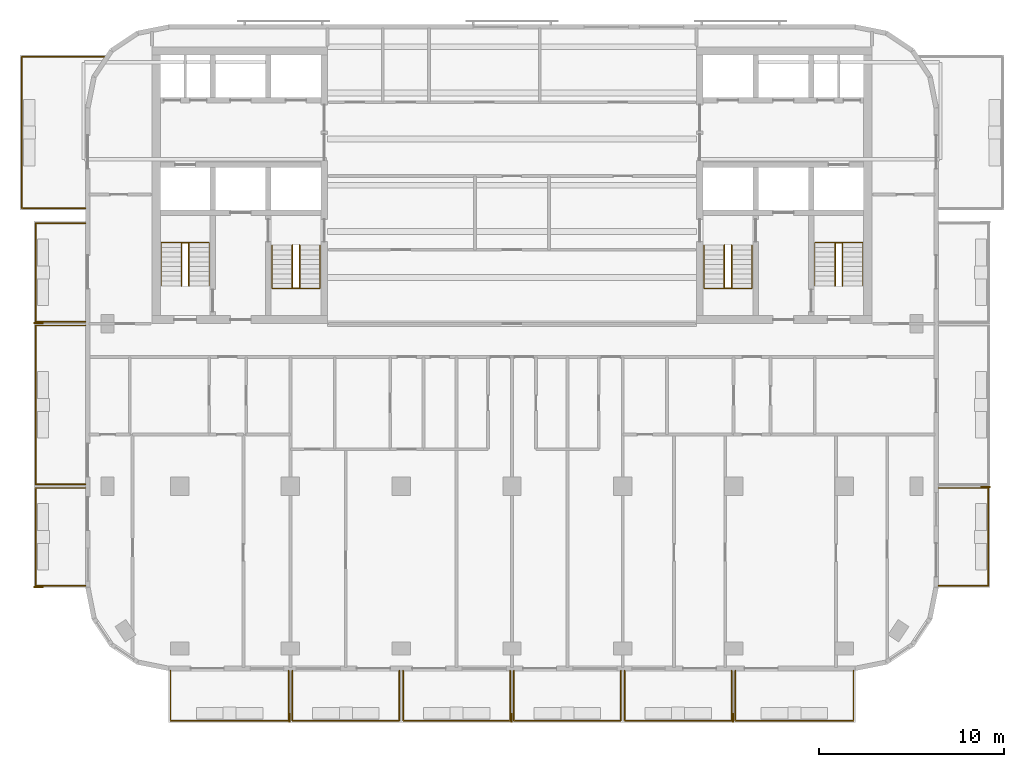
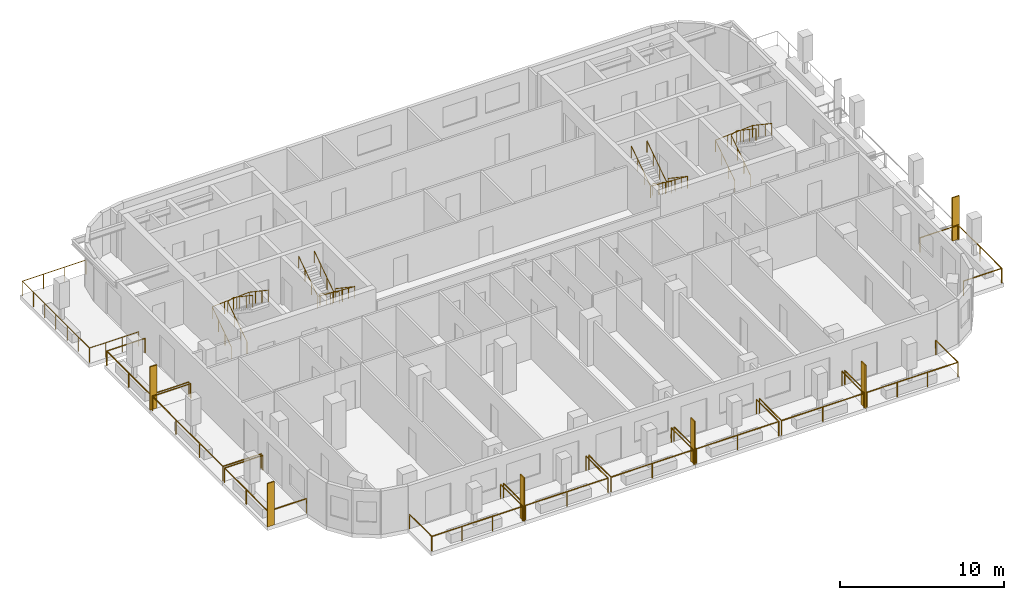
# One storey, part 9 of 11: 19 railings, 6 shading devices.
"""IFC4 building model written with IfcOpenShell, lengths in metres."""

from ifc_helpers import new_model, si_unit, direction, frame, origin, origin_2d, place, context, subcontext, project, spatial, rectangle, circle, extrude, material, layer, layer_set, type_object, element, save


model = new_model("IFC4")

# Units and contexts
model_context = context("Model", 3, precision=1e-05, world=origin(), true_north=direction((0.0, 1.0)))
body_context = subcontext(model_context, "Body", "Model", "MODEL_VIEW")
ifc_project = project(units=[si_unit("LENGTHUNIT", "METRE"), si_unit("AREAUNIT", "SQUARE_METRE"), si_unit("VOLUMEUNIT", "CUBIC_METRE"), si_unit("PLANEANGLEUNIT", "RADIAN"), si_unit("MASSUNIT", "GRAM", prefix="KILO")], contexts=[model_context])

# Site, building, storey
site_placement = place(None, origin())
site = spatial("IfcSite", under=ifc_project, at=site_placement, CompositionType="ELEMENT")
building_placement = place(site_placement, origin())
building = spatial("IfcBuilding", under=site, at=building_placement, Name="Torana Hotel and Residences", CompositionType="ELEMENT")
storey_placement = place(building_placement, frame((0.0, 0.0, 284.10009765625)))
storey = spatial("IfcBuildingStorey", under=building, at=storey_placement, Name="L75", CompositionType="ELEMENT", Elevation=284.10009765625)

# Shading devices
ifc_material_1 = material(Name="Black powder coated aluminium", Category="aluminium")
ifc_layer = layer(ifc_material_1, 0.080078125)
ifc_layer_set = layer_set([ifc_layer], Name="FN1 VERTICAL FIN 500x80")
shading_device_type = type_object("IfcShadingDeviceType", Name="FN1 VERTICAL FIN 500x80", PredefinedType="USERDEFINED", material=ifc_layer_set)
for number, where, z_axis, x_axis, name in (
    (1, (-12.0400390625, -36.35009765625, 0.0), (0.0, 0.0, 1.0), (-1.0, 0.0, 0.0), "Fin 01"),
    (2, (-0.0400390625, -36.35009765625, 0.0), (0.0, 0.0, 1.0), (-1.0, 0.0, 0.0), "Fin 03"),
    (3, (11.9599609375, -36.35009765625, 0.0), (0.0, 0.0, 1.0), (-1.0, 0.0, 0.0), "Fin 05"),
    (4, (-25.64990234375, -29.260009765625, 0.0), (0.0, 0.0, 1.0), (0.0, 1.0, 0.0), "Fin 07"),
    (5, (-25.64990234375, -14.9599609375, 0.0), (0.0, 0.0, 1.0), (0.0, 1.0, 0.0), "Fin 09"),
    (6, (25.64990234375, -23.840087890625, 0.0), (0.0, 0.0, 1.0), (0.0, -1.0, 0.0), "Fin 11"),
):
    element("IfcShadingDevice", number, at=place(storey_placement, frame(where, z_axis=z_axis, x_axis=x_axis)), inside=storey, type_object=shading_device_type, Name=name, ObjectType="FIN", PredefinedType="USERDEFINED", context=body_context, shape_type="SweptSolid", body=[
        extrude(rectangle(XDim=0.080078125, YDim=0.5, at=origin_2d()), origin(), (0.0, 0.0, 1.0), 3.219970703125),
    ])

# Railings
ifc_material_2 = material(Name="Laminated glass balustrade with black handrail", Category="glass")
railing_type_1 = type_object("IfcRailingType", Name="GR1 BALCONY GUARD 1100 GLASS", PredefinedType="GUARDRAIL", material=ifc_material_2)
railing_1_placement = place(storey_placement, frame((-12.10009765625, -33.800048828125, 0.0)))
element("IfcRailing", 7, at=railing_1_placement, inside=storey, type_object=railing_type_1, Name="Balcony guard 01", PredefinedType="GUARDRAIL", context=body_context, shape_type="SweptSolid", body=[
    extrude(circle(Radius=0.02392578125, at=origin_2d()), frame((0.0, 0.0, 1.076171875), z_axis=(0.0, -1.0, 0.0), x_axis=(1.0, 0.0, 0.0)), (0.0, 0.0, 1.0), 2.699951171875),
    extrude(circle(Radius=0.02392578125, at=origin_2d()), frame((0.0, -2.699951171875, 1.076171875), z_axis=(-1.0, 0.0, 0.0), x_axis=(0.0, -1.0, 0.0)), (0.0, 0.0, 1.0), 6.39990234375),
    extrude(circle(Radius=0.02392578125, at=origin_2d()), frame((-6.39990234375, -2.699951171875, 1.076171875), z_axis=(0.0, 1.0, 0.0), x_axis=(-1.0, 0.0, 0.0)), (0.0, 0.0, 1.0), 2.699951171875),
    extrude(circle(Radius=0.02099609375, at=origin_2d()), origin(), (0.0, 0.0, 1.0), 1.052001953125),
    extrude(circle(Radius=0.02099609375, at=origin_2d()), frame((0.0, -2.699951171875, 0.0)), (0.0, 0.0, 1.0), 1.052001953125),
    extrude(circle(Radius=0.02099609375, at=origin_2d()), frame((-2.13330078125, -2.699951171875, 0.0)), (0.0, 0.0, 1.0), 1.052001953125),
    extrude(circle(Radius=0.02099609375, at=origin_2d()), frame((-4.2666015625, -2.699951171875, 0.0)), (0.0, 0.0, 1.0), 1.052001953125),
    extrude(circle(Radius=0.02099609375, at=origin_2d()), frame((-6.39990234375, -2.699951171875, 0.0)), (0.0, 0.0, 1.0), 1.052001953125),
    extrude(circle(Radius=0.02099609375, at=origin_2d()), frame((-6.39990234375, 0.0, 0.0)), (0.0, 0.0, 1.0), 1.052001953125),
])
for number, where, name in (
    (8, (-6.10009765625, -33.800048828125, 0.0), "Balcony guard 02"),
    (9, (-0.10009765625, -33.800048828125, 0.0), "Balcony guard 03"),
    (10, (5.89990234375, -33.800048828125, 0.0), "Balcony guard 04"),
    (11, (11.89990234375, -33.800048828125, 0.0), "Balcony guard 05"),
):
    element("IfcRailing", number, at=place(storey_placement, frame(where)), inside=storey, type_object=railing_type_1, Name=name, PredefinedType="GUARDRAIL", context=body_context, shape_type="SweptSolid", body=[
        extrude(circle(Radius=0.02392578125, at=origin_2d()), frame((0.0, 0.0, 1.076171875), z_axis=(0.0, -1.0, 0.0), x_axis=(1.0, 0.0, 0.0)), (0.0, 0.0, 1.0), 2.699951171875),
        extrude(circle(Radius=0.02392578125, at=origin_2d()), frame((0.0, -2.699951171875, 1.076171875), z_axis=(-1.0, 0.0, 0.0), x_axis=(0.0, -1.0, 0.0)), (0.0, 0.0, 1.0), 5.7998046875),
        extrude(circle(Radius=0.02392578125, at=origin_2d()), frame((-5.7998046875, -2.699951171875, 1.076171875), z_axis=(0.0, 1.0, 0.0), x_axis=(-1.0, 0.0, 0.0)), (0.0, 0.0, 1.0), 2.699951171875),
        extrude(circle(Radius=0.02099609375, at=origin_2d()), origin(), (0.0, 0.0, 1.0), 1.052001953125),
        extrude(circle(Radius=0.02099609375, at=origin_2d()), frame((0.0, -2.699951171875, 0.0)), (0.0, 0.0, 1.0), 1.052001953125),
        extrude(circle(Radius=0.02099609375, at=origin_2d()), frame((-2.89990234375, -2.699951171875, 0.0)), (0.0, 0.0, 1.0), 1.052001953125),
        extrude(circle(Radius=0.02099609375, at=origin_2d()), frame((-5.7998046875, -2.699951171875, 0.0)), (0.0, 0.0, 1.0), 1.052001953125),
        extrude(circle(Radius=0.02099609375, at=origin_2d()), frame((-5.7998046875, 0.0, 0.0)), (0.0, 0.0, 1.0), 1.052001953125),
    ])
railing_2_placement = place(storey_placement, frame((18.5, -33.800048828125, 0.0)))
element("IfcRailing", 12, at=railing_2_placement, inside=storey, type_object=railing_type_1, Name="Balcony guard 06", PredefinedType="GUARDRAIL", context=body_context, shape_type="SweptSolid", body=[
    extrude(circle(Radius=0.02392578125, at=origin_2d()), frame((0.0, 0.0, 1.076171875), z_axis=(0.0, -1.0, 0.0), x_axis=(1.0, 0.0, 0.0)), (0.0, 0.0, 1.0), 2.699951171875),
    extrude(circle(Radius=0.02392578125, at=origin_2d()), frame((0.0, -2.699951171875, 1.076171875), z_axis=(-1.0, 0.0, 0.0), x_axis=(0.0, -1.0, 0.0)), (0.0, 0.0, 1.0), 6.39990234375),
    extrude(circle(Radius=0.02392578125, at=origin_2d()), frame((-6.39990234375, -2.699951171875, 1.076171875), z_axis=(0.0, 1.0, 0.0), x_axis=(-1.0, 0.0, 0.0)), (0.0, 0.0, 1.0), 2.699951171875),
    extrude(circle(Radius=0.02099609375, at=origin_2d()), origin(), (0.0, 0.0, 1.0), 1.052001953125),
    extrude(circle(Radius=0.02099609375, at=origin_2d()), frame((0.0, -2.699951171875, 0.0)), (0.0, 0.0, 1.0), 1.052001953125),
    extrude(circle(Radius=0.02099609375, at=origin_2d()), frame((-2.13330078125, -2.699951171875, 0.0)), (0.0, 0.0, 1.0), 1.052001953125),
    extrude(circle(Radius=0.02099609375, at=origin_2d()), frame((-4.2666015625, -2.699951171875, 0.0)), (0.0, 0.0, 1.0), 1.052001953125),
    extrude(circle(Radius=0.02099609375, at=origin_2d()), frame((-6.39990234375, -2.699951171875, 0.0)), (0.0, 0.0, 1.0), 1.052001953125),
    extrude(circle(Radius=0.02099609375, at=origin_2d()), frame((-6.39990234375, 0.0, 0.0)), (0.0, 0.0, 1.0), 1.052001953125),
])
railing_3_placement = place(storey_placement, frame((-23.10009765625, -29.199951171875, 0.0)))
element("IfcRailing", 13, at=railing_3_placement, inside=storey, type_object=railing_type_1, Name="Balcony guard 07", PredefinedType="GUARDRAIL", context=body_context, shape_type="SweptSolid", body=[
    extrude(circle(Radius=0.02392578125, at=origin_2d()), frame((0.0, 0.0, 1.076171875), z_axis=(-1.0, 0.0, 0.0), x_axis=(0.0, -1.0, 0.0)), (0.0, 0.0, 1.0), 2.699951171875),
    extrude(circle(Radius=0.02392578125, at=origin_2d()), frame((-2.699951171875, 0.0, 1.076171875), z_axis=(0.0, 1.0, 0.0), x_axis=(-1.0, 0.0, 0.0)), (0.0, 0.0, 1.0), 5.300048828125),
    extrude(circle(Radius=0.02392578125, at=origin_2d()), frame((-2.699951171875, 5.300048828125, 1.076171875), z_axis=(1.0, 0.0, 0.0), x_axis=(0.0, 1.0, 0.0)), (0.0, 0.0, 1.0), 2.699951171875),
    extrude(circle(Radius=0.02099609375, at=origin_2d()), origin(), (0.0, 0.0, 1.0), 1.052001953125),
    extrude(circle(Radius=0.02099609375, at=origin_2d()), frame((-2.699951171875, 0.0, 0.0)), (0.0, 0.0, 1.0), 1.052001953125),
    extrude(circle(Radius=0.02099609375, at=origin_2d()), frame((-2.699951171875, 2.64990234375, 0.0)), (0.0, 0.0, 1.0), 1.052001953125),
    extrude(circle(Radius=0.02099609375, at=origin_2d()), frame((-2.699951171875, 5.300048828125, 0.0)), (0.0, 0.0, 1.0), 1.052001953125),
    extrude(circle(Radius=0.02099609375, at=origin_2d()), frame((0.0, 5.300048828125, 0.0)), (0.0, 0.0, 1.0), 1.052001953125),
])
railing_4_placement = place(storey_placement, frame((-23.10009765625, -23.699951171875, 0.0)))
element("IfcRailing", 14, at=railing_4_placement, inside=storey, type_object=railing_type_1, Name="Balcony guard 08", PredefinedType="GUARDRAIL", context=body_context, shape_type="SweptSolid", body=[
    extrude(circle(Radius=0.02392578125, at=origin_2d()), frame((0.0, 0.0, 1.076171875), z_axis=(-1.0, 0.0, 0.0), x_axis=(0.0, -1.0, 0.0)), (0.0, 0.0, 1.0), 2.699951171875),
    extrude(circle(Radius=0.02392578125, at=origin_2d()), frame((-2.699951171875, 0.0, 1.076171875), z_axis=(0.0, 1.0, 0.0), x_axis=(-1.0, 0.0, 0.0)), (0.0, 0.0, 1.0), 8.599853515625),
    extrude(circle(Radius=0.02392578125, at=origin_2d()), frame((-2.699951171875, 8.599853515625, 1.076171875), z_axis=(1.0, 0.0, 0.0), x_axis=(0.0, 1.0, 0.0)), (0.0, 0.0, 1.0), 2.699951171875),
    extrude(circle(Radius=0.02099609375, at=origin_2d()), origin(), (0.0, 0.0, 1.0), 1.052001953125),
    extrude(circle(Radius=0.02099609375, at=origin_2d()), frame((-2.699951171875, 0.0, 0.0)), (0.0, 0.0, 1.0), 1.052001953125),
    extrude(circle(Radius=0.02099609375, at=origin_2d()), frame((-2.699951171875, 2.86669921875, 0.0)), (0.0, 0.0, 1.0), 1.052001953125),
    extrude(circle(Radius=0.02099609375, at=origin_2d()), frame((-2.699951171875, 5.733154296875, 0.0)), (0.0, 0.0, 1.0), 1.052001953125),
    extrude(circle(Radius=0.02099609375, at=origin_2d()), frame((-2.699951171875, 8.599853515625, 0.0)), (0.0, 0.0, 1.0), 1.052001953125),
    extrude(circle(Radius=0.02099609375, at=origin_2d()), frame((0.0, 8.599853515625, 0.0)), (0.0, 0.0, 1.0), 1.052001953125),
])
railing_5_placement = place(storey_placement, frame((-23.10009765625, -14.89990234375, 0.0)))
element("IfcRailing", 15, at=railing_5_placement, inside=storey, type_object=railing_type_1, Name="Balcony guard 09", PredefinedType="GUARDRAIL", context=body_context, shape_type="SweptSolid", body=[
    extrude(circle(Radius=0.02392578125, at=origin_2d()), frame((0.0, 0.0, 1.076171875), z_axis=(-1.0, 0.0, 0.0), x_axis=(0.0, -1.0, 0.0)), (0.0, 0.0, 1.0), 2.699951171875),
    extrude(circle(Radius=0.02392578125, at=origin_2d()), frame((-2.699951171875, 0.0, 1.076171875), z_axis=(0.0, 1.0, 0.0), x_axis=(-1.0, 0.0, 0.0)), (0.0, 0.0, 1.0), 5.349853515625),
    extrude(circle(Radius=0.02392578125, at=origin_2d()), frame((-2.699951171875, 5.349853515625, 1.076171875), z_axis=(1.0, 0.0, 0.0), x_axis=(0.0, 1.0, 0.0)), (0.0, 0.0, 1.0), 2.699951171875),
    extrude(circle(Radius=0.02099609375, at=origin_2d()), origin(), (0.0, 0.0, 1.0), 1.052001953125),
    extrude(circle(Radius=0.02099609375, at=origin_2d()), frame((-2.699951171875, 0.0, 0.0)), (0.0, 0.0, 1.0), 1.052001953125),
    extrude(circle(Radius=0.02099609375, at=origin_2d()), frame((-2.699951171875, 2.6748046875, 0.0)), (0.0, 0.0, 1.0), 1.052001953125),
    extrude(circle(Radius=0.02099609375, at=origin_2d()), frame((-2.699951171875, 5.349853515625, 0.0)), (0.0, 0.0, 1.0), 1.052001953125),
    extrude(circle(Radius=0.02099609375, at=origin_2d()), frame((0.0, 5.349853515625, 0.0)), (0.0, 0.0, 1.0), 1.052001953125),
])
railing_6_placement = place(storey_placement, frame((-23.10009765625, -8.75, 0.0)))
element("IfcRailing", 16, at=railing_6_placement, inside=storey, type_object=railing_type_1, Name="Balcony guard 10", PredefinedType="GUARDRAIL", context=body_context, shape_type="SweptSolid", body=[
    extrude(circle(Radius=0.02392578125, at=origin_2d()), frame((0.0, 0.0, 1.076171875), z_axis=(-1.0, 0.0, 0.0), x_axis=(0.0, -1.0, 0.0)), (0.0, 0.0, 1.0), 3.449951171875),
    extrude(circle(Radius=0.02392578125, at=origin_2d()), frame((-3.449951171875, 0.0, 1.076171875), z_axis=(0.0, 1.0, 0.0), x_axis=(-1.0, 0.0, 0.0)), (0.0, 0.0, 1.0), 8.199951171875),
    extrude(circle(Radius=0.02392578125, at=origin_2d()), frame((-3.449951171875, 8.199951171875, 1.076171875), z_axis=(1.0, 0.0, 0.0), x_axis=(0.0, 1.0, 0.0)), (0.0, 0.0, 1.0), 4.479248046875),
    extrude(circle(Radius=0.02099609375, at=origin_2d()), origin(), (0.0, 0.0, 1.0), 1.052001953125),
    extrude(circle(Radius=0.02099609375, at=origin_2d()), frame((-1.14990234375, 0.0, 0.0)), (0.0, 0.0, 1.0), 1.052001953125),
    extrude(circle(Radius=0.02099609375, at=origin_2d()), frame((-2.300048828125, 0.0, 0.0)), (0.0, 0.0, 1.0), 1.052001953125),
    extrude(circle(Radius=0.02099609375, at=origin_2d()), frame((-3.449951171875, 0.0, 0.0)), (0.0, 0.0, 1.0), 1.052001953125),
    extrude(circle(Radius=0.02099609375, at=origin_2d()), frame((-3.449951171875, 1.36669921875, 0.0)), (0.0, 0.0, 1.0), 1.052001953125),
    extrude(circle(Radius=0.02099609375, at=origin_2d()), frame((-3.449951171875, 2.7333984375, 0.0)), (0.0, 0.0, 1.0), 1.052001953125),
    extrude(circle(Radius=0.02099609375, at=origin_2d()), frame((-3.449951171875, 4.10009765625, 0.0)), (0.0, 0.0, 1.0), 1.052001953125),
    extrude(circle(Radius=0.02099609375, at=origin_2d()), frame((-3.449951171875, 5.466552734375, 0.0)), (0.0, 0.0, 1.0), 1.052001953125),
    extrude(circle(Radius=0.02099609375, at=origin_2d()), frame((-3.449951171875, 6.833251953125, 0.0)), (0.0, 0.0, 1.0), 1.052001953125),
    extrude(circle(Radius=0.02099609375, at=origin_2d()), frame((-3.449951171875, 8.199951171875, 0.0)), (0.0, 0.0, 1.0), 1.052001953125),
    extrude(circle(Radius=0.02099609375, at=origin_2d()), frame((-1.956787109375, 8.199951171875, 0.0)), (0.0, 0.0, 1.0), 1.052001953125),
    extrude(circle(Radius=0.02099609375, at=origin_2d()), frame((-0.4638671875, 8.199951171875, 0.0)), (0.0, 0.0, 1.0), 1.052001953125),
    extrude(circle(Radius=0.02099609375, at=origin_2d()), frame((1.029296875, 8.199951171875, 0.0)), (0.0, 0.0, 1.0), 1.052001953125),
])
railing_7_placement = place(storey_placement, frame((23.10009765625, -23.89990234375, 0.0)))
element("IfcRailing", 17, at=railing_7_placement, inside=storey, type_object=railing_type_1, Name="Balcony guard 11", PredefinedType="GUARDRAIL", context=body_context, shape_type="SweptSolid", body=[
    extrude(circle(Radius=0.02392578125, at=origin_2d()), frame((0.0, 0.0, 1.076171875), z_axis=(1.0, 0.0, 0.0), x_axis=(0.0, 1.0, 0.0)), (0.0, 0.0, 1.0), 2.699951171875),
    extrude(circle(Radius=0.02392578125, at=origin_2d()), frame((2.699951171875, 0.0, 1.076171875), z_axis=(0.0, -1.0, 0.0), x_axis=(1.0, 0.0, 0.0)), (0.0, 0.0, 1.0), 5.300048828125),
    extrude(circle(Radius=0.02392578125, at=origin_2d()), frame((2.699951171875, -5.300048828125, 1.076171875), z_axis=(-1.0, 0.0, 0.0), x_axis=(0.0, -1.0, 0.0)), (0.0, 0.0, 1.0), 2.699951171875),
    extrude(circle(Radius=0.02099609375, at=origin_2d()), origin(), (0.0, 0.0, 1.0), 1.052001953125),
    extrude(circle(Radius=0.02099609375, at=origin_2d()), frame((2.699951171875, 0.0, 0.0)), (0.0, 0.0, 1.0), 1.052001953125),
    extrude(circle(Radius=0.02099609375, at=origin_2d()), frame((2.699951171875, -2.64990234375, 0.0)), (0.0, 0.0, 1.0), 1.052001953125),
    extrude(circle(Radius=0.02099609375, at=origin_2d()), frame((2.699951171875, -5.300048828125, 0.0)), (0.0, 0.0, 1.0), 1.052001953125),
    extrude(circle(Radius=0.02099609375, at=origin_2d()), frame((0.0, -5.300048828125, 0.0)), (0.0, 0.0, 1.0), 1.052001953125),
])
ifc_material_3 = material(Name="Stainless steel 316", Category="steel")
railing_type_2 = type_object("IfcRailingType", Name="STAIR HANDRAIL HR1 900", PredefinedType="HANDRAIL", material=ifc_material_3)
railing_8_placement = place(storey_placement, frame((-10.39990234375, -10.75, 0.1748046875)))
element("IfcRailing", 18, at=railing_8_placement, inside=storey, type_object=railing_type_2, Name="Handrail ST1 L75 O1", PredefinedType="HANDRAIL", context=body_context, shape_type="SweptSolid", body=[
    extrude(circle(Radius=0.02392578125, at=origin_2d()), frame((0.0, 0.0, 0.8759765625), z_axis=(0.0, -0.829565388462, 0.558409586474), x_axis=(1.0, 0.0, 0.0)), (0.0, 0.0, 1.0), 2.82080078125),
    extrude(circle(Radius=0.02392578125, at=origin_2d()), frame((0.0, -2.340087890625, 2.451171875), z_axis=(-0.997747692642, 0.0, 0.067078624219), x_axis=(0.0, -1.0, 0.0)), (0.0, 0.0, 1.0), 2.60595703125),
    extrude(circle(Radius=0.02392578125, at=origin_2d()), frame((-2.60009765625, -2.340087890625, 2.6259765625), z_axis=(0.0, 0.829565388462, 0.558409586474), x_axis=(-1.0, 0.0, 0.0)), (0.0, 0.0, 1.0), 2.82080078125),
    extrude(circle(Radius=0.02099609375, at=origin_2d()), origin(), (0.0, 0.0, 1.0), 0.851806640625),
    extrude(circle(Radius=0.02099609375, at=origin_2d()), frame((0.0, -0.780029296875, 0.525146484375)), (0.0, 0.0, 1.0), 0.851806640625),
    extrude(circle(Radius=0.02099609375, at=origin_2d()), frame((0.0, -1.56005859375, 1.050048828125)), (0.0, 0.0, 1.0), 0.851806640625),
    extrude(circle(Radius=0.02099609375, at=origin_2d()), frame((0.0, -2.340087890625, 1.5751953125)), (0.0, 0.0, 1.0), 0.851806640625),
    extrude(circle(Radius=0.02099609375, at=origin_2d()), frame((-0.86669921875, -2.340087890625, 1.633544921875)), (0.0, 0.0, 1.0), 0.851806640625),
    extrude(circle(Radius=0.02099609375, at=origin_2d()), frame((-1.7333984375, -2.340087890625, 1.691650390625)), (0.0, 0.0, 1.0), 0.851806640625),
    extrude(circle(Radius=0.02099609375, at=origin_2d()), frame((-2.60009765625, -2.340087890625, 1.75)), (0.0, 0.0, 1.0), 0.851806640625),
    extrude(circle(Radius=0.02099609375, at=origin_2d()), frame((-2.60009765625, -1.56005859375, 2.275146484375)), (0.0, 0.0, 1.0), 0.851806640625),
    extrude(circle(Radius=0.02099609375, at=origin_2d()), frame((-2.60009765625, -0.780029296875, 2.800048828125)), (0.0, 0.0, 1.0), 0.851806640625),
    extrude(circle(Radius=0.02099609375, at=origin_2d()), frame((-2.60009765625, 0.0, 3.3251953125)), (0.0, 0.0, 1.0), 0.851806640625),
])
railing_9_placement = place(storey_placement, frame((-11.5, -10.75, 0.1748046875)))
element("IfcRailing", 19, at=railing_9_placement, inside=storey, type_object=railing_type_2, Name="Handrail ST1 L75 I1", PredefinedType="HANDRAIL", context=body_context, shape_type="SweptSolid", body=[
    extrude(circle(Radius=0.02392578125, at=origin_2d()), frame((0.0, 0.0, 0.8759765625), z_axis=(0.0, -0.829565388462, 0.558409586474), x_axis=(1.0, 0.0, 0.0)), (0.0, 0.0, 1.0), 2.82080078125),
    extrude(circle(Radius=0.02392578125, at=origin_2d()), frame((0.0, -2.340087890625, 2.451171875), z_axis=(-0.916285673175, 0.0, 0.400525361412), x_axis=(0.0, -1.0, 0.0)), (0.0, 0.0, 1.0), 0.4365234375),
    extrude(circle(Radius=0.02392578125, at=origin_2d()), frame((-0.39990234375, -2.340087890625, 2.6259765625), z_axis=(0.0, 0.829565388462, 0.558409586474), x_axis=(-1.0, 0.0, 0.0)), (0.0, 0.0, 1.0), 2.82080078125),
    extrude(circle(Radius=0.02099609375, at=origin_2d()), origin(), (0.0, 0.0, 1.0), 0.851806640625),
    extrude(circle(Radius=0.02099609375, at=origin_2d()), frame((0.0, -0.780029296875, 0.525146484375)), (0.0, 0.0, 1.0), 0.851806640625),
    extrude(circle(Radius=0.02099609375, at=origin_2d()), frame((0.0, -1.56005859375, 1.050048828125)), (0.0, 0.0, 1.0), 0.851806640625),
    extrude(circle(Radius=0.02099609375, at=origin_2d()), frame((0.0, -2.340087890625, 1.5751953125)), (0.0, 0.0, 1.0), 0.851806640625),
    extrude(circle(Radius=0.02099609375, at=origin_2d()), frame((-0.39990234375, -2.340087890625, 1.75)), (0.0, 0.0, 1.0), 0.851806640625),
    extrude(circle(Radius=0.02099609375, at=origin_2d()), frame((-0.39990234375, -1.56005859375, 2.275146484375)), (0.0, 0.0, 1.0), 0.851806640625),
    extrude(circle(Radius=0.02099609375, at=origin_2d()), frame((-0.39990234375, -0.780029296875, 2.800048828125)), (0.0, 0.0, 1.0), 0.851806640625),
    extrude(circle(Radius=0.02099609375, at=origin_2d()), frame((-0.39990234375, 0.0, 3.3251953125)), (0.0, 0.0, 1.0), 0.851806640625),
])
railing_10_placement = place(storey_placement, frame((-19.0, -12.949951171875, 0.1748046875)))
element("IfcRailing", 20, at=railing_10_placement, inside=storey, type_object=railing_type_2, Name="Handrail ST2 L75 O1", PredefinedType="HANDRAIL", context=body_context, shape_type="SweptSolid", body=[
    extrude(circle(Radius=0.02392578125, at=origin_2d()), frame((0.0, 0.0, 0.8759765625), z_axis=(0.0, 0.829538397957, 0.558449681095), x_axis=(-1.0, 0.0, 0.0)), (0.0, 0.0, 1.0), 2.820556640625),
    extrude(circle(Radius=0.02392578125, at=origin_2d()), frame((0.0, 2.33984375, 2.451171875), z_axis=(0.997747692642, 0.0, 0.067078624219), x_axis=(0.0, 1.0, 0.0)), (0.0, 0.0, 1.0), 2.60595703125),
    extrude(circle(Radius=0.02392578125, at=origin_2d()), frame((2.60009765625, 2.33984375, 2.6259765625), z_axis=(0.0, -0.829538397957, 0.558449681095), x_axis=(1.0, 0.0, 0.0)), (0.0, 0.0, 1.0), 2.820556640625),
    extrude(circle(Radius=0.02099609375, at=origin_2d()), origin(), (0.0, 0.0, 1.0), 0.851806640625),
    extrude(circle(Radius=0.02099609375, at=origin_2d()), frame((0.0, 0.780029296875, 0.525146484375)), (0.0, 0.0, 1.0), 0.851806640625),
    extrude(circle(Radius=0.02099609375, at=origin_2d()), frame((0.0, 1.559814453125, 1.050048828125)), (0.0, 0.0, 1.0), 0.851806640625),
    extrude(circle(Radius=0.02099609375, at=origin_2d()), frame((0.0, 2.33984375, 1.5751953125)), (0.0, 0.0, 1.0), 0.851806640625),
    extrude(circle(Radius=0.02099609375, at=origin_2d()), frame((0.86669921875, 2.33984375, 1.633544921875)), (0.0, 0.0, 1.0), 0.851806640625),
    extrude(circle(Radius=0.02099609375, at=origin_2d()), frame((1.7333984375, 2.33984375, 1.691650390625)), (0.0, 0.0, 1.0), 0.851806640625),
    extrude(circle(Radius=0.02099609375, at=origin_2d()), frame((2.60009765625, 2.33984375, 1.75)), (0.0, 0.0, 1.0), 0.851806640625),
    extrude(circle(Radius=0.02099609375, at=origin_2d()), frame((2.60009765625, 1.559814453125, 2.275146484375)), (0.0, 0.0, 1.0), 0.851806640625),
    extrude(circle(Radius=0.02099609375, at=origin_2d()), frame((2.60009765625, 0.780029296875, 2.800048828125)), (0.0, 0.0, 1.0), 0.851806640625),
    extrude(circle(Radius=0.02099609375, at=origin_2d()), frame((2.60009765625, 0.0, 3.3251953125)), (0.0, 0.0, 1.0), 0.851806640625),
])
railing_11_placement = place(storey_placement, frame((-17.89990234375, -12.949951171875, 0.1748046875)))
element("IfcRailing", 21, at=railing_11_placement, inside=storey, type_object=railing_type_2, Name="Handrail ST2 L75 I1", PredefinedType="HANDRAIL", context=body_context, shape_type="SweptSolid", body=[
    extrude(circle(Radius=0.02392578125, at=origin_2d()), frame((0.0, 0.0, 0.8759765625), z_axis=(0.0, 0.829538397957, 0.558449681095), x_axis=(-1.0, 0.0, 0.0)), (0.0, 0.0, 1.0), 2.820556640625),
    extrude(circle(Radius=0.02392578125, at=origin_2d()), frame((0.0, 2.33984375, 2.451171875), z_axis=(0.916285673175, 0.0, 0.400525361412), x_axis=(0.0, 1.0, 0.0)), (0.0, 0.0, 1.0), 0.4365234375),
    extrude(circle(Radius=0.02392578125, at=origin_2d()), frame((0.39990234375, 2.33984375, 2.6259765625), z_axis=(0.0, -0.829538397957, 0.558449681095), x_axis=(1.0, 0.0, 0.0)), (0.0, 0.0, 1.0), 2.820556640625),
    extrude(circle(Radius=0.02099609375, at=origin_2d()), origin(), (0.0, 0.0, 1.0), 0.851806640625),
    extrude(circle(Radius=0.02099609375, at=origin_2d()), frame((0.0, 0.780029296875, 0.525146484375)), (0.0, 0.0, 1.0), 0.851806640625),
    extrude(circle(Radius=0.02099609375, at=origin_2d()), frame((0.0, 1.559814453125, 1.050048828125)), (0.0, 0.0, 1.0), 0.851806640625),
    extrude(circle(Radius=0.02099609375, at=origin_2d()), frame((0.0, 2.33984375, 1.5751953125)), (0.0, 0.0, 1.0), 0.851806640625),
    extrude(circle(Radius=0.02099609375, at=origin_2d()), frame((0.39990234375, 2.33984375, 1.75)), (0.0, 0.0, 1.0), 0.851806640625),
    extrude(circle(Radius=0.02099609375, at=origin_2d()), frame((0.39990234375, 1.559814453125, 2.275146484375)), (0.0, 0.0, 1.0), 0.851806640625),
    extrude(circle(Radius=0.02099609375, at=origin_2d()), frame((0.39990234375, 0.780029296875, 2.800048828125)), (0.0, 0.0, 1.0), 0.851806640625),
    extrude(circle(Radius=0.02099609375, at=origin_2d()), frame((0.39990234375, 0.0, 3.3251953125)), (0.0, 0.0, 1.0), 0.851806640625),
])
railing_12_placement = place(storey_placement, frame((13.0, -10.75, 0.1748046875)))
element("IfcRailing", 22, at=railing_12_placement, inside=storey, type_object=railing_type_2, Name="Handrail ST3 L75 O1", PredefinedType="HANDRAIL", context=body_context, shape_type="SweptSolid", body=[
    extrude(circle(Radius=0.02392578125, at=origin_2d()), frame((0.0, 0.0, 0.8759765625), z_axis=(0.0, -0.829565388462, 0.558409586474), x_axis=(1.0, 0.0, 0.0)), (0.0, 0.0, 1.0), 2.82080078125),
    extrude(circle(Radius=0.02392578125, at=origin_2d()), frame((0.0, -2.340087890625, 2.451171875), z_axis=(-0.997747692642, 0.0, 0.067078624219), x_axis=(0.0, -1.0, 0.0)), (0.0, 0.0, 1.0), 2.60595703125),
    extrude(circle(Radius=0.02392578125, at=origin_2d()), frame((-2.60009765625, -2.340087890625, 2.6259765625), z_axis=(0.0, 0.829565388462, 0.558409586474), x_axis=(-1.0, 0.0, 0.0)), (0.0, 0.0, 1.0), 2.82080078125),
    extrude(circle(Radius=0.02099609375, at=origin_2d()), origin(), (0.0, 0.0, 1.0), 0.851806640625),
    extrude(circle(Radius=0.02099609375, at=origin_2d()), frame((0.0, -0.780029296875, 0.525146484375)), (0.0, 0.0, 1.0), 0.851806640625),
    extrude(circle(Radius=0.02099609375, at=origin_2d()), frame((0.0, -1.56005859375, 1.050048828125)), (0.0, 0.0, 1.0), 0.851806640625),
    extrude(circle(Radius=0.02099609375, at=origin_2d()), frame((0.0, -2.340087890625, 1.5751953125)), (0.0, 0.0, 1.0), 0.851806640625),
    extrude(circle(Radius=0.02099609375, at=origin_2d()), frame((-0.86669921875, -2.340087890625, 1.633544921875)), (0.0, 0.0, 1.0), 0.851806640625),
    extrude(circle(Radius=0.02099609375, at=origin_2d()), frame((-1.7333984375, -2.340087890625, 1.691650390625)), (0.0, 0.0, 1.0), 0.851806640625),
    extrude(circle(Radius=0.02099609375, at=origin_2d()), frame((-2.60009765625, -2.340087890625, 1.75)), (0.0, 0.0, 1.0), 0.851806640625),
    extrude(circle(Radius=0.02099609375, at=origin_2d()), frame((-2.60009765625, -1.56005859375, 2.275146484375)), (0.0, 0.0, 1.0), 0.851806640625),
    extrude(circle(Radius=0.02099609375, at=origin_2d()), frame((-2.60009765625, -0.780029296875, 2.800048828125)), (0.0, 0.0, 1.0), 0.851806640625),
    extrude(circle(Radius=0.02099609375, at=origin_2d()), frame((-2.60009765625, 0.0, 3.3251953125)), (0.0, 0.0, 1.0), 0.851806640625),
])
railing_13_placement = place(storey_placement, frame((11.89990234375, -10.75, 0.1748046875)))
element("IfcRailing", 23, at=railing_13_placement, inside=storey, type_object=railing_type_2, Name="Handrail ST3 L75 I1", PredefinedType="HANDRAIL", context=body_context, shape_type="SweptSolid", body=[
    extrude(circle(Radius=0.02392578125, at=origin_2d()), frame((0.0, 0.0, 0.8759765625), z_axis=(0.0, -0.829565388462, 0.558409586474), x_axis=(1.0, 0.0, 0.0)), (0.0, 0.0, 1.0), 2.82080078125),
    extrude(circle(Radius=0.02392578125, at=origin_2d()), frame((0.0, -2.340087890625, 2.451171875), z_axis=(-0.916285673175, 0.0, 0.400525361412), x_axis=(0.0, -1.0, 0.0)), (0.0, 0.0, 1.0), 0.4365234375),
    extrude(circle(Radius=0.02392578125, at=origin_2d()), frame((-0.39990234375, -2.340087890625, 2.6259765625), z_axis=(0.0, 0.829565388462, 0.558409586474), x_axis=(-1.0, 0.0, 0.0)), (0.0, 0.0, 1.0), 2.82080078125),
    extrude(circle(Radius=0.02099609375, at=origin_2d()), origin(), (0.0, 0.0, 1.0), 0.851806640625),
    extrude(circle(Radius=0.02099609375, at=origin_2d()), frame((0.0, -0.780029296875, 0.525146484375)), (0.0, 0.0, 1.0), 0.851806640625),
    extrude(circle(Radius=0.02099609375, at=origin_2d()), frame((0.0, -1.56005859375, 1.050048828125)), (0.0, 0.0, 1.0), 0.851806640625),
    extrude(circle(Radius=0.02099609375, at=origin_2d()), frame((0.0, -2.340087890625, 1.5751953125)), (0.0, 0.0, 1.0), 0.851806640625),
    extrude(circle(Radius=0.02099609375, at=origin_2d()), frame((-0.39990234375, -2.340087890625, 1.75)), (0.0, 0.0, 1.0), 0.851806640625),
    extrude(circle(Radius=0.02099609375, at=origin_2d()), frame((-0.39990234375, -1.56005859375, 2.275146484375)), (0.0, 0.0, 1.0), 0.851806640625),
    extrude(circle(Radius=0.02099609375, at=origin_2d()), frame((-0.39990234375, -0.780029296875, 2.800048828125)), (0.0, 0.0, 1.0), 0.851806640625),
    extrude(circle(Radius=0.02099609375, at=origin_2d()), frame((-0.39990234375, 0.0, 3.3251953125)), (0.0, 0.0, 1.0), 0.851806640625),
])
railing_14_placement = place(storey_placement, frame((16.39990234375, -12.949951171875, 0.1748046875)))
element("IfcRailing", 24, at=railing_14_placement, inside=storey, type_object=railing_type_2, Name="Handrail ST4 L75 O1", PredefinedType="HANDRAIL", context=body_context, shape_type="SweptSolid", body=[
    extrude(circle(Radius=0.02392578125, at=origin_2d()), frame((0.0, 0.0, 0.8759765625), z_axis=(0.0, 0.829538397957, 0.558449681095), x_axis=(-1.0, 0.0, 0.0)), (0.0, 0.0, 1.0), 2.820556640625),
    extrude(circle(Radius=0.02392578125, at=origin_2d()), frame((0.0, 2.33984375, 2.451171875), z_axis=(0.997747692642, 0.0, 0.067078624219), x_axis=(0.0, 1.0, 0.0)), (0.0, 0.0, 1.0), 2.60595703125),
    extrude(circle(Radius=0.02392578125, at=origin_2d()), frame((2.60009765625, 2.33984375, 2.6259765625), z_axis=(0.0, -0.829538397957, 0.558449681095), x_axis=(1.0, 0.0, 0.0)), (0.0, 0.0, 1.0), 2.820556640625),
    extrude(circle(Radius=0.02099609375, at=origin_2d()), origin(), (0.0, 0.0, 1.0), 0.851806640625),
    extrude(circle(Radius=0.02099609375, at=origin_2d()), frame((0.0, 0.780029296875, 0.525146484375)), (0.0, 0.0, 1.0), 0.851806640625),
    extrude(circle(Radius=0.02099609375, at=origin_2d()), frame((0.0, 1.559814453125, 1.050048828125)), (0.0, 0.0, 1.0), 0.851806640625),
    extrude(circle(Radius=0.02099609375, at=origin_2d()), frame((0.0, 2.33984375, 1.5751953125)), (0.0, 0.0, 1.0), 0.851806640625),
    extrude(circle(Radius=0.02099609375, at=origin_2d()), frame((0.86669921875, 2.33984375, 1.633544921875)), (0.0, 0.0, 1.0), 0.851806640625),
    extrude(circle(Radius=0.02099609375, at=origin_2d()), frame((1.7333984375, 2.33984375, 1.691650390625)), (0.0, 0.0, 1.0), 0.851806640625),
    extrude(circle(Radius=0.02099609375, at=origin_2d()), frame((2.60009765625, 2.33984375, 1.75)), (0.0, 0.0, 1.0), 0.851806640625),
    extrude(circle(Radius=0.02099609375, at=origin_2d()), frame((2.60009765625, 1.559814453125, 2.275146484375)), (0.0, 0.0, 1.0), 0.851806640625),
    extrude(circle(Radius=0.02099609375, at=origin_2d()), frame((2.60009765625, 0.780029296875, 2.800048828125)), (0.0, 0.0, 1.0), 0.851806640625),
    extrude(circle(Radius=0.02099609375, at=origin_2d()), frame((2.60009765625, 0.0, 3.3251953125)), (0.0, 0.0, 1.0), 0.851806640625),
])
railing_15_placement = place(storey_placement, frame((17.5, -12.949951171875, 0.1748046875)))
element("IfcRailing", 25, at=railing_15_placement, inside=storey, type_object=railing_type_2, Name="Handrail ST4 L75 I1", PredefinedType="HANDRAIL", context=body_context, shape_type="SweptSolid", body=[
    extrude(circle(Radius=0.02392578125, at=origin_2d()), frame((0.0, 0.0, 0.8759765625), z_axis=(0.0, 0.829538397957, 0.558449681095), x_axis=(-1.0, 0.0, 0.0)), (0.0, 0.0, 1.0), 2.820556640625),
    extrude(circle(Radius=0.02392578125, at=origin_2d()), frame((0.0, 2.33984375, 2.451171875), z_axis=(0.916285673175, 0.0, 0.400525361412), x_axis=(0.0, 1.0, 0.0)), (0.0, 0.0, 1.0), 0.4365234375),
    extrude(circle(Radius=0.02392578125, at=origin_2d()), frame((0.39990234375, 2.33984375, 2.6259765625), z_axis=(0.0, -0.829538397957, 0.558449681095), x_axis=(1.0, 0.0, 0.0)), (0.0, 0.0, 1.0), 2.820556640625),
    extrude(circle(Radius=0.02099609375, at=origin_2d()), origin(), (0.0, 0.0, 1.0), 0.851806640625),
    extrude(circle(Radius=0.02099609375, at=origin_2d()), frame((0.0, 0.780029296875, 0.525146484375)), (0.0, 0.0, 1.0), 0.851806640625),
    extrude(circle(Radius=0.02099609375, at=origin_2d()), frame((0.0, 1.559814453125, 1.050048828125)), (0.0, 0.0, 1.0), 0.851806640625),
    extrude(circle(Radius=0.02099609375, at=origin_2d()), frame((0.0, 2.33984375, 1.5751953125)), (0.0, 0.0, 1.0), 0.851806640625),
    extrude(circle(Radius=0.02099609375, at=origin_2d()), frame((0.39990234375, 2.33984375, 1.75)), (0.0, 0.0, 1.0), 0.851806640625),
    extrude(circle(Radius=0.02099609375, at=origin_2d()), frame((0.39990234375, 1.559814453125, 2.275146484375)), (0.0, 0.0, 1.0), 0.851806640625),
    extrude(circle(Radius=0.02099609375, at=origin_2d()), frame((0.39990234375, 0.780029296875, 2.800048828125)), (0.0, 0.0, 1.0), 0.851806640625),
    extrude(circle(Radius=0.02099609375, at=origin_2d()), frame((0.39990234375, 0.0, 3.3251953125)), (0.0, 0.0, 1.0), 0.851806640625),
])

save(model, "model.ifc")
